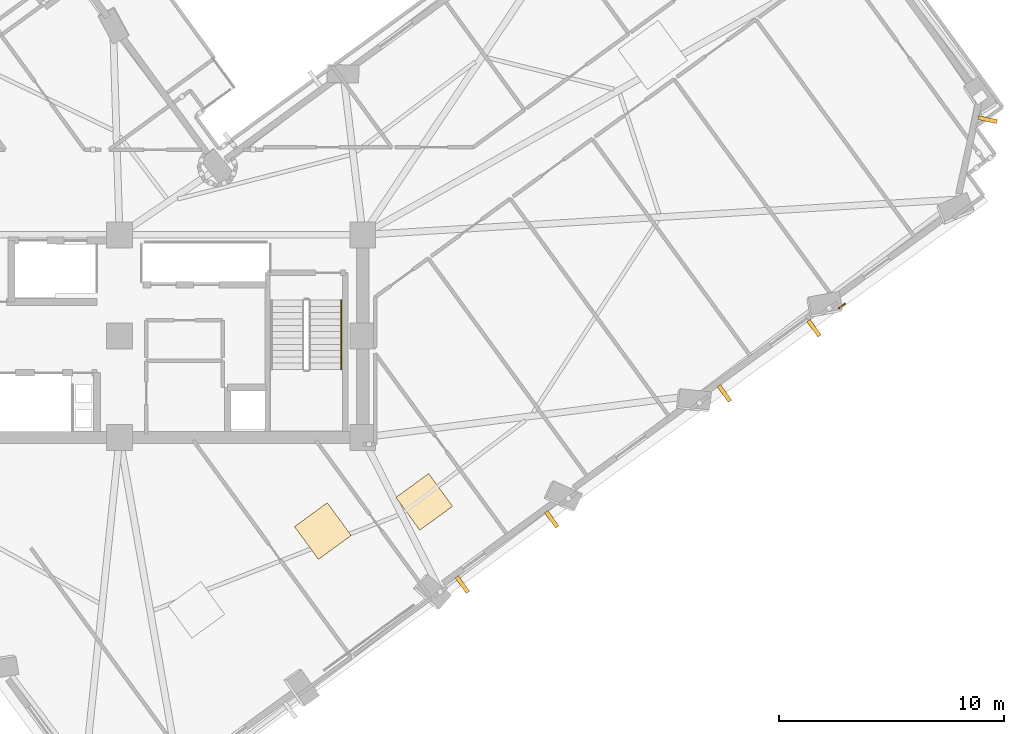
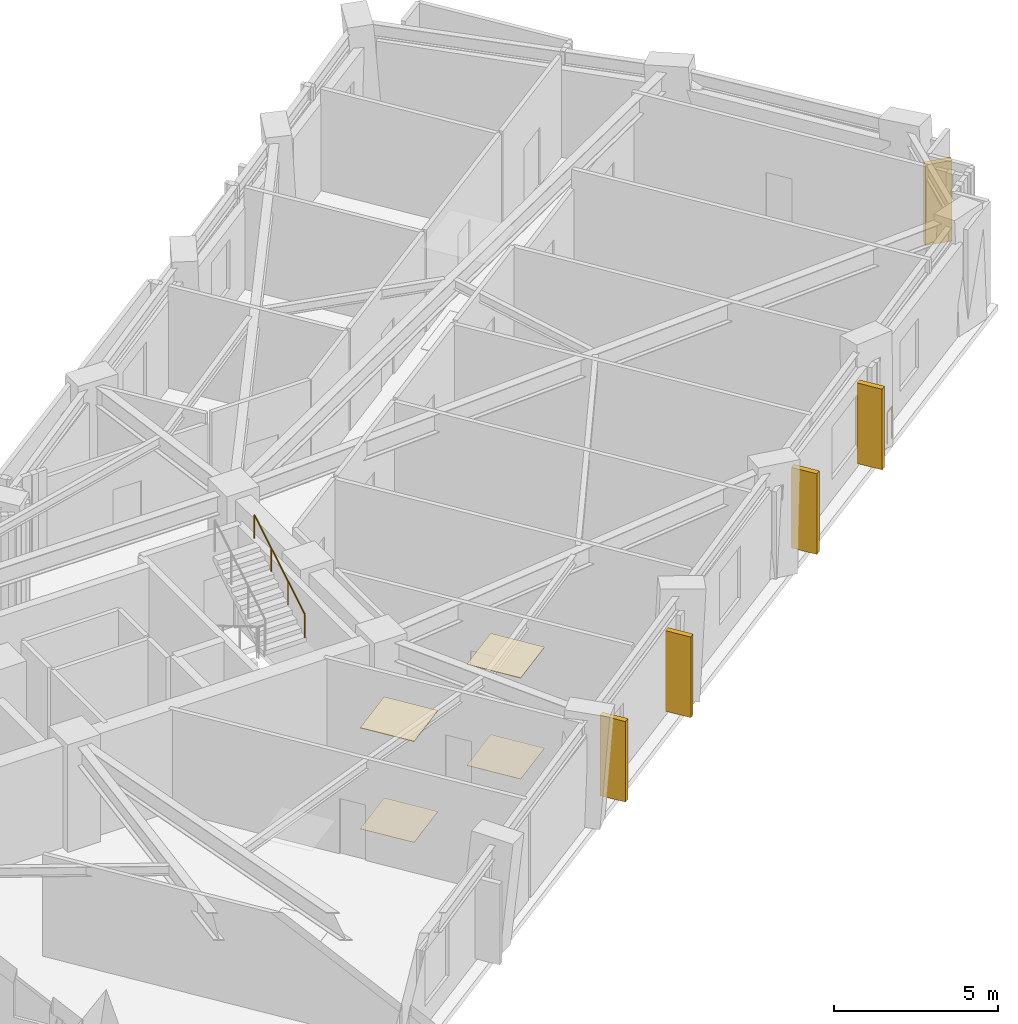
# One storey, part 12 of 14: 5 shading devices, 4 coverings, 2 railings.
"""IFC4 building model written with IfcOpenShell, lengths in metres."""

from ifc_helpers import new_model, si_unit, direction, frame, origin, origin_2d, place, context, subcontext, project, spatial, rectangle, circle, extrude, material, layer, layer_set, type_object, element, save


model = new_model("IFC4")

# Units and contexts
model_context = context("Model", 3, precision=1e-05, world=origin(), true_north=direction((0.0, 1.0)))
body_context = subcontext(model_context, "Body", "Model", "MODEL_VIEW")
ifc_project = project(units=[si_unit("LENGTHUNIT", "METRE"), si_unit("AREAUNIT", "SQUARE_METRE"), si_unit("VOLUMEUNIT", "CUBIC_METRE"), si_unit("PLANEANGLEUNIT", "RADIAN"), si_unit("MASSUNIT", "GRAM", prefix="KILO")], contexts=[model_context])

# Site, building, storey
site_placement = place(None, origin())
site = spatial("IfcSite", under=ifc_project, at=site_placement, CompositionType="ELEMENT")
building_placement = place(site_placement, origin())
building = spatial("IfcBuilding", under=site, at=building_placement, Name="Gaonmaruhae Medical Tower", CompositionType="ELEMENT")
storey_placement = place(building_placement, frame((0.0, 0.0, 177.800048828125)))
storey = spatial("IfcBuildingStorey", under=building, at=storey_placement, Name="L42", CompositionType="ELEMENT", Elevation=177.800048828125)

# Coverings
ifc_material_1 = material(Name="Acoustic mineral ceiling tile", Category="finish")
ifc_layer_1 = layer(ifc_material_1, 0.02490234375)
ifc_layer_set_1 = layer_set([ifc_layer_1], Name="Acoustic mineral ceiling tile")
covering_type_1 = type_object("IfcCoveringType", Name="CLG-01 Antimicrobial Acoustic Mineral Ceiling", PredefinedType="CEILING", material=ifc_layer_set_1)
for number, where, z_axis, x_axis, name in (
    (1, (33.827880859375, 3.6455078125, 3.7548828125), (0.0, 0.0, 1.0), (0.807989883898, 0.589196357353, 0.0), "L42 Clinical Room Acoustic Ceiling 3"),
    (2, (38.328369140625, 4.941650390625, 3.7548828125), (0.0, 0.0, 1.0), (0.807989883898, 0.589196357353, 0.0), "L42 Clinical Room Acoustic Ceiling 4"),
):
    element("IfcCovering", number, at=place(storey_placement, frame(where, z_axis=z_axis, x_axis=x_axis)), inside=storey, type_object=covering_type_1, Name=name, PredefinedType="CEILING", context=body_context, shape_type="SweptSolid", body=[
        extrude(rectangle(XDim=1.800048828125, YDim=1.800048828125, at=origin_2d()), origin(), (0.0, 0.0, 1.0), 0.02490234375),
    ])
ifc_material_2 = material(Name="Seamless clinical vinyl flooring", Category="finish")
ifc_layer_2 = layer(ifc_material_2, 0.014892578125)
ifc_layer_set_2 = layer_set([ifc_layer_2], Name="Seamless clinical vinyl flooring")
covering_type_2 = type_object("IfcCoveringType", Name="FLR-01 Seamless Clinical Antistatic Vinyl Flooring", PredefinedType="FLOORING", material=ifc_layer_set_2)
for number, where, z_axis, x_axis, name in (
    (3, (33.827880859375, 3.6455078125, 0.0), (0.0, 0.0, 1.0), (0.807989883898, 0.589196357353, 0.0), "L42 Clinical Room Vinyl Flooring 3"),
    (4, (38.328369140625, 4.941650390625, 0.0), (0.0, 0.0, 1.0), (0.807989883898, 0.589196357353, 0.0), "L42 Clinical Room Vinyl Flooring 4"),
):
    element("IfcCovering", number, at=place(storey_placement, frame(where, z_axis=z_axis, x_axis=x_axis)), inside=storey, type_object=covering_type_2, Name=name, PredefinedType="FLOORING", context=body_context, shape_type="SweptSolid", body=[
        extrude(rectangle(XDim=1.800048828125, YDim=1.800048828125, at=origin_2d()), origin(), (0.0, 0.0, 1.0), 0.014892578125),
    ])

# Railings
ifc_material_3 = material(Name="Stainless steel 316L and laminated safety glass", Category="steel")
ifc_layer_3 = layer(ifc_material_3, 0.080078125)
ifc_layer_set_3 = layer_set([ifc_layer_3], Name="Stainless steel 316L and laminated safety glass")
railing_type_1 = type_object("IfcRailingType", Name="GD-120 Outdoor Terrace Safety Glass & Steel Balustrade", PredefinedType="BALUSTRADE", material=ifc_layer_set_3)
railing_1_placement = place(storey_placement, frame((57.001708984375, 13.7333984375, 0.0)))
element("IfcRailing", 5, at=railing_1_placement, inside=storey, type_object=railing_type_1, Name="L42 Perimeter Slab Edge Safety Balustrade 03", PredefinedType="BALUSTRADE", context=body_context, shape_type="SweptSolid", body=[
    extrude(circle(Radius=0.02392578125, at=origin_2d()), frame((0.0, 0.0, 1.17578125), z_axis=(-0.807957578723, -0.589240656255, 0.0), x_axis=(0.589240656255, -0.807957578723, 0.0)), (0.0, 0.0, 1.0), 0.33935546875),
    extrude(circle(Radius=0.02099609375, at=origin_2d()), origin(), (0.0, 0.0, 1.0), 1.15185546875),
    extrude(circle(Radius=0.02099609375, at=origin_2d()), frame((-0.274169921875, -0.199951171875, 0.0)), (0.0, 0.0, 1.0), 1.15185546875),
])
ifc_material_4 = material(Name="Stainless steel 304 handrail", Category="steel")
railing_type_2 = type_object("IfcRailingType", Name="HR-092 Continuous Stainless Steel Stair Handrail", PredefinedType="HANDRAIL", material=ifc_material_4)
railing_2_placement = place(storey_placement, frame((34.64990234375, 10.820068359375, 2.16650390625)))
element("IfcRailing", 6, at=railing_2_placement, inside=storey, type_object=railing_type_2, Name="L42 ST-02 stair handrail 2", PredefinedType="HANDRAIL", context=body_context, shape_type="SweptSolid", body=[
    extrude(circle(Radius=0.02392578125, at=origin_2d()), frame((0.0, 0.0, 0.8759765625), z_axis=(0.0, 0.859260807169, 0.511537745687), x_axis=(-1.0, 0.0, 0.0)), (0.0, 0.0, 1.0), 3.584228515625),
    extrude(circle(Radius=0.02099609375, at=origin_2d()), origin(), (0.0, 0.0, 1.0), 0.851806640625),
    extrude(circle(Radius=0.02099609375, at=origin_2d()), frame((0.0, 1.026611328125, 0.611083984375)), (0.0, 0.0, 1.0), 0.851806640625),
    extrude(circle(Radius=0.02099609375, at=origin_2d()), frame((0.0, 2.05322265625, 1.222412109375)), (0.0, 0.0, 1.0), 0.851806640625),
    extrude(circle(Radius=0.02099609375, at=origin_2d()), frame((0.0, 3.079833984375, 1.83349609375)), (0.0, 0.0, 1.0), 0.851806640625),
])

# Shading devices
ifc_material_5 = material(Name="Pigmented coral precast concrete C45/55", Category="concrete")
shading_device_type = type_object("IfcShadingDeviceType", Name="SD-FIN1 Tower Vertical Coral Precast Shading Fin", PredefinedType="USERDEFINED", material=ifc_material_5)
for number, where, z_axis, x_axis, name in (
    (7, (43.99169921875, 4.166015625, 0.132568359375), (0.0, 0.0, 1.0), (-0.807989883898, -0.589196357353, 0.0), "L42 Vertical Coral Precast Shading Fin S03"),
    (8, (40.02099609375, 1.2705078125, 0.132568359375), (0.0, 0.0, 1.0), (-0.807989883898, -0.589196357353, 0.0), "L42 Vertical Coral Precast Shading Fin S03B"),
    (9, (55.633544921875, 12.6552734375, 0.132568359375), (0.0, 0.0, 1.0), (-0.807989883898, -0.589196357353, 0.0), "L42 Vertical Coral Precast Shading Fin S05"),
    (10, (51.65966796875, 9.75732421875, 0.132568359375), (0.0, 0.0, 1.0), (-0.807989883898, -0.589196357353, 0.0), "L42 Vertical Coral Precast Shading Fin S05B"),
    (11, (63.3447265625, 21.914794921875, 0.132568359375), (0.0, 0.0, 1.0), (-0.215621638251, -0.976476988525, 0.0), "L42 Vertical Coral Precast Shading Fin S07"),
):
    element("IfcShadingDevice", number, at=place(storey_placement, frame(where, z_axis=z_axis, x_axis=x_axis)), inside=storey, type_object=shading_device_type, Name=name, ObjectType="FIN", PredefinedType="USERDEFINED", context=body_context, shape_type="SweptSolid", body=[
        extrude(rectangle(XDim=0.179931640625, YDim=0.85009765625, at=origin_2d()), origin(), (0.0, 0.0, 1.0), 3.0),
    ])

save(model, "model.ifc")
